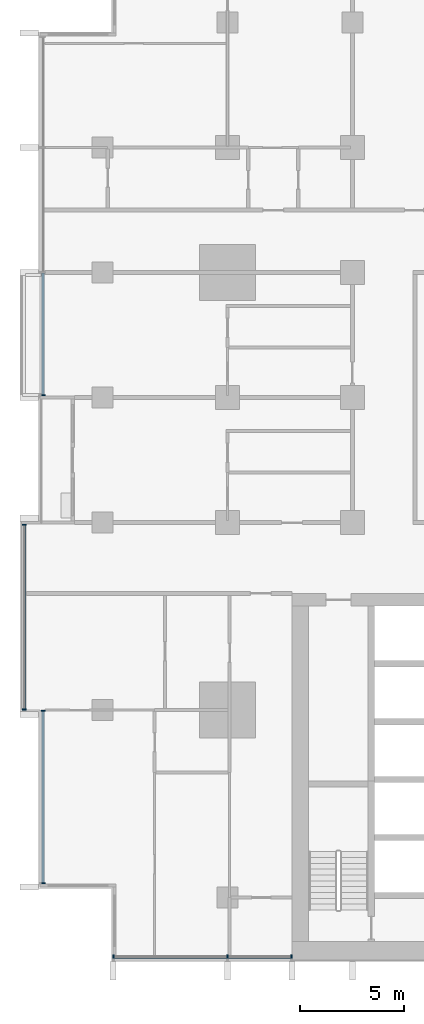
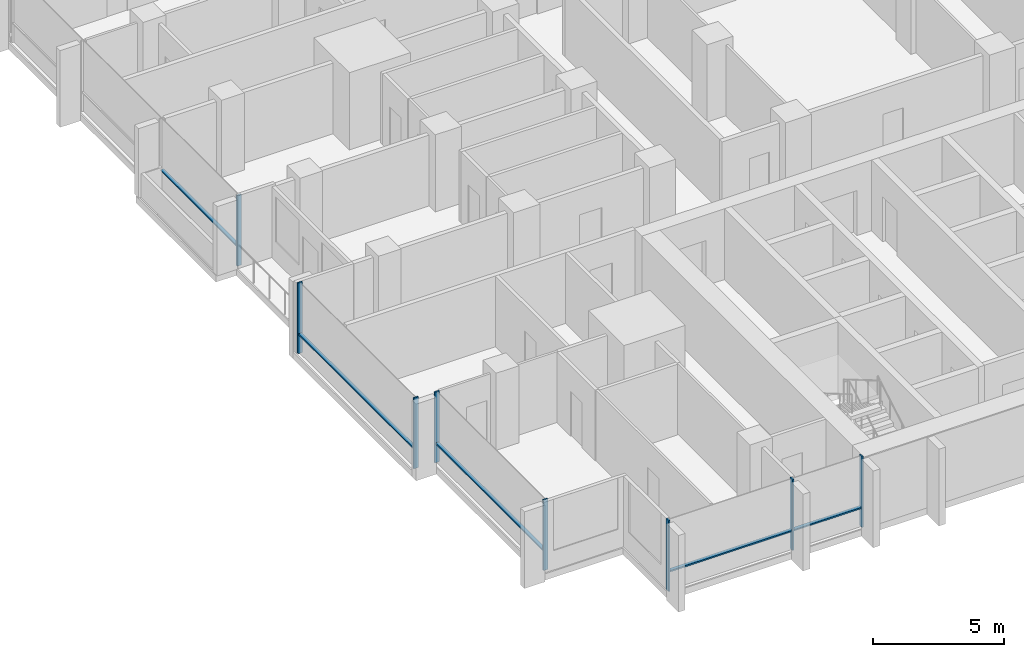
# One storey, part 2 of 17: 13 members, 4 elements without a shape of their own.
"""IFC4 building model written with IfcOpenShell, lengths in metres."""

from ifc_helpers import new_model, si_unit, direction, frame, origin, origin_2d, place, context, subcontext, project, spatial, rectangle, extrude, material, material_profile, profile_set, type_object, element, aggregate, save


model = new_model("IFC4")

# Units and contexts
model_context = context("Model", 3, precision=1e-05, world=origin(), true_north=direction((0.0, 1.0)))
body_context = subcontext(model_context, "Body", "Model", "MODEL_VIEW")
ifc_project = project(units=[si_unit("LENGTHUNIT", "METRE"), si_unit("AREAUNIT", "SQUARE_METRE"), si_unit("VOLUMEUNIT", "CUBIC_METRE"), si_unit("PLANEANGLEUNIT", "RADIAN"), si_unit("MASSUNIT", "GRAM", prefix="KILO")], contexts=[model_context])

# Site, building, storey
site_placement = place(None, origin())
site = spatial("IfcSite", under=ifc_project, at=site_placement, CompositionType="ELEMENT")
building_placement = place(site_placement, origin())
building = spatial("IfcBuilding", under=site, at=building_placement, Name="Finial Court Residences", CompositionType="ELEMENT")
storey_placement = place(building_placement, frame((0.0, 0.0, 113.5)))
storey = spatial("IfcBuildingStorey", under=building, at=storey_placement, Name="L28", CompositionType="ELEMENT", Elevation=113.5)

# Curtain wall, members
ifc_material = material(Name="Bronze anodised aluminium", Category="aluminium")
curtain_wall_type = type_object("IfcCurtainWallType", Name="Unitised curtain wall, lower and middle zones", PredefinedType="NOTDEFINED", material=ifc_material)
curtain_wall_1_placement = place(storey_placement, origin())
curtain_wall_1 = element("IfcCurtainWall", 1, at=curtain_wall_1_placement, inside=storey, type_object=curtain_wall_type, Name="E-L28-CW-S8", PredefinedType="NOTDEFINED")
ifc_material_profile_1 = material_profile(ifc_material, rectangle(XDim=0.199951171875, YDim=0.06494140625, at=origin_2d()), Name="CW1 mullion 65 x 200")
ifc_profile_set_1 = profile_set([ifc_material_profile_1], Name="Bronze anodised aluminium")
member_type_1 = type_object("IfcMemberType", Name="CW1 mullion 65 x 200", PredefinedType="MULLION", material=ifc_profile_set_1)
member_1_placement = place(storey_placement, frame((-21.967529296875, -25.35009765625, 0.0), z_axis=(0.0, 0.0, 1.0), x_axis=(0.0, 1.0, 0.0)))
member_1 = element("IfcMember", 2, at=member_1_placement, type_object=member_type_1, Name="CW1 mullion 1", PredefinedType="MULLION", context=body_context, shape_type="SweptSolid", body=[
    extrude(rectangle(XDim=0.199951171875, YDim=0.06494140625, at=origin_2d()), origin(), (0.0, 0.0, 1.0), 3.300048828125),
])
member_2_placement = place(storey_placement, frame((-16.5, -25.35009765625, 0.0), z_axis=(0.0, 0.0, 1.0), x_axis=(0.0, 1.0, 0.0)))
member_2 = element("IfcMember", 3, at=member_2_placement, type_object=member_type_1, Name="CW1 mullion 2", PredefinedType="MULLION", context=body_context, shape_type="SweptSolid", body=[
    extrude(rectangle(XDim=0.199951171875, YDim=0.06494140625, at=origin_2d()), origin(), (0.0, 0.0, 1.0), 3.300048828125),
])
member_3_placement = place(storey_placement, frame((-13.4326171875, -25.35009765625, 0.0), z_axis=(0.0, 0.0, 1.0), x_axis=(0.0, 1.0, 0.0)))
member_3 = element("IfcMember", 4, at=member_3_placement, type_object=member_type_1, Name="CW1 mullion 3", PredefinedType="MULLION", context=body_context, shape_type="SweptSolid", body=[
    extrude(rectangle(XDim=0.199951171875, YDim=0.06494140625, at=origin_2d()), origin(), (0.0, 0.0, 1.0), 3.300048828125),
])

curtain_wall_2_placement = place(storey_placement, origin())
curtain_wall_2 = element("IfcCurtainWall", 5, at=curtain_wall_2_placement, inside=storey, type_object=curtain_wall_type, Name="E-L28-CW-W10", PredefinedType="NOTDEFINED")
member_4_placement = place(storey_placement, frame((-25.35009765625, -21.8173828125, 0.0), z_axis=(0.0, 0.0, 1.0), x_axis=(-1.0, 0.0, 0.0)))
member_4 = element("IfcMember", 6, at=member_4_placement, type_object=member_type_1, Name="CW1 mullion 1", PredefinedType="MULLION", context=body_context, shape_type="SweptSolid", body=[
    extrude(rectangle(XDim=0.199951171875, YDim=0.06494140625, at=origin_2d()), origin(), (0.0, 0.0, 1.0), 3.300048828125),
])
member_5_placement = place(storey_placement, frame((-25.35009765625, -13.532470703125, 0.0), z_axis=(0.0, 0.0, 1.0), x_axis=(-1.0, 0.0, 0.0)))
member_5 = element("IfcMember", 7, at=member_5_placement, type_object=member_type_1, Name="CW1 mullion 2", PredefinedType="MULLION", context=body_context, shape_type="SweptSolid", body=[
    extrude(rectangle(XDim=0.199951171875, YDim=0.06494140625, at=origin_2d()), origin(), (0.0, 0.0, 1.0), 3.300048828125),
])

curtain_wall_3_placement = place(storey_placement, origin())
curtain_wall_3 = element("IfcCurtainWall", 8, at=curtain_wall_3_placement, inside=storey, type_object=curtain_wall_type, Name="E-L28-CW-W11", PredefinedType="NOTDEFINED")
member_6_placement = place(storey_placement, frame((-26.25, -13.467529296875, 0.0), z_axis=(0.0, 0.0, 1.0), x_axis=(-1.0, 0.0, 0.0)))
member_6 = element("IfcMember", 9, at=member_6_placement, type_object=member_type_1, Name="CW1 mullion 1", PredefinedType="MULLION", context=body_context, shape_type="SweptSolid", body=[
    extrude(rectangle(XDim=0.199951171875, YDim=0.06494140625, at=origin_2d()), origin(), (0.0, 0.0, 1.0), 3.300048828125),
])
member_7_placement = place(storey_placement, frame((-26.25, -4.607421875, 0.0), z_axis=(0.0, 0.0, 1.0), x_axis=(-1.0, 0.0, 0.0)))
member_7 = element("IfcMember", 10, at=member_7_placement, type_object=member_type_1, Name="CW1 mullion 2", PredefinedType="MULLION", context=body_context, shape_type="SweptSolid", body=[
    extrude(rectangle(XDim=0.199951171875, YDim=0.06494140625, at=origin_2d()), origin(), (0.0, 0.0, 1.0), 3.300048828125),
])

# Curtain wall, member
curtain_wall_4_placement = place(storey_placement, origin())
curtain_wall_4 = element("IfcCurtainWall", 11, at=curtain_wall_4_placement, inside=storey, type_object=curtain_wall_type, Name="E-L28-CW-W12", PredefinedType="NOTDEFINED")
member_8_placement = place(storey_placement, frame((-25.35009765625, 1.607421875, 0.0), z_axis=(0.0, 0.0, 1.0), x_axis=(-1.0, 0.0, 0.0)))
member_8 = element("IfcMember", 12, at=member_8_placement, type_object=member_type_1, Name="CW1 mullion 1", PredefinedType="MULLION", context=body_context, shape_type="SweptSolid", body=[
    extrude(rectangle(XDim=0.199951171875, YDim=0.06494140625, at=origin_2d()), origin(), (0.0, 0.0, 1.0), 3.300048828125),
])

# Member
ifc_material_profile_2 = material_profile(ifc_material, rectangle(XDim=0.14990234375, YDim=0.06494140625, at=origin_2d()), Name="CW1 transom 65 x 150")
ifc_profile_set_2 = profile_set([ifc_material_profile_2], Name="Bronze anodised aluminium")
member_type_2 = type_object("IfcMemberType", Name="CW1 transom 65 x 150", PredefinedType="USERDEFINED", material=ifc_profile_set_2)
member_9_placement = place(storey_placement, frame((-21.93505859375, -25.35009765625, 0.89990234375), z_axis=(1.0, 0.0, 0.0), x_axis=(0.0, 1.0, 0.0)))
member_9 = element("IfcMember", 13, at=member_9_placement, type_object=member_type_2, Name="CW1 transom 1.1", ObjectType="TRANSOM", PredefinedType="USERDEFINED", context=body_context, shape_type="SweptSolid", body=[
    extrude(rectangle(XDim=0.14990234375, YDim=0.06494140625, at=origin_2d()), origin(), (0.0, 0.0, 1.0), 5.402587890625),
])

member_10_placement = place(storey_placement, frame((-16.467529296875, -25.35009765625, 0.89990234375), z_axis=(1.0, 0.0, 0.0), x_axis=(0.0, 1.0, 0.0)))
member_10 = element("IfcMember", 14, at=member_10_placement, type_object=member_type_2, Name="CW1 transom 2.1", ObjectType="TRANSOM", PredefinedType="USERDEFINED", context=body_context, shape_type="SweptSolid", body=[
    extrude(rectangle(XDim=0.14990234375, YDim=0.06494140625, at=origin_2d()), origin(), (0.0, 0.0, 1.0), 3.00244140625),
])

aggregate(curtain_wall_1, [member_1, member_2, member_3, member_9, member_10])

member_11_placement = place(storey_placement, frame((-25.35009765625, -21.784912109375, 0.89990234375), z_axis=(0.0, 1.0, 0.0), x_axis=(-1.0, 0.0, 0.0)))
member_11 = element("IfcMember", 15, at=member_11_placement, type_object=member_type_2, Name="CW1 transom 1.1", ObjectType="TRANSOM", PredefinedType="USERDEFINED", context=body_context, shape_type="SweptSolid", body=[
    extrude(rectangle(XDim=0.14990234375, YDim=0.06494140625, at=origin_2d()), origin(), (0.0, 0.0, 1.0), 8.219970703125),
])

aggregate(curtain_wall_2, [member_4, member_5, member_11])

member_12_placement = place(storey_placement, frame((-26.25, -13.43505859375, 0.89990234375), z_axis=(0.0, 1.0, 0.0), x_axis=(-1.0, 0.0, 0.0)))
member_12 = element("IfcMember", 16, at=member_12_placement, type_object=member_type_2, Name="CW1 transom 1.1", ObjectType="TRANSOM", PredefinedType="USERDEFINED", context=body_context, shape_type="SweptSolid", body=[
    extrude(rectangle(XDim=0.14990234375, YDim=0.06494140625, at=origin_2d()), origin(), (0.0, 0.0, 1.0), 8.795166015625),
])

aggregate(curtain_wall_3, [member_6, member_7, member_12])

member_13_placement = place(storey_placement, frame((-25.35009765625, 1.639892578125, 0.89990234375), z_axis=(0.0, 1.0, 0.0), x_axis=(-1.0, 0.0, 0.0)))
member_13 = element("IfcMember", 17, at=member_13_placement, type_object=member_type_2, Name="CW1 transom 1.1", ObjectType="TRANSOM", PredefinedType="USERDEFINED", context=body_context, shape_type="SweptSolid", body=[
    extrude(rectangle(XDim=0.14990234375, YDim=0.06494140625, at=origin_2d()), origin(), (0.0, 0.0, 1.0), 5.82763671875),
])

aggregate(curtain_wall_4, [member_8, member_13])

save(model, "model.ifc")
